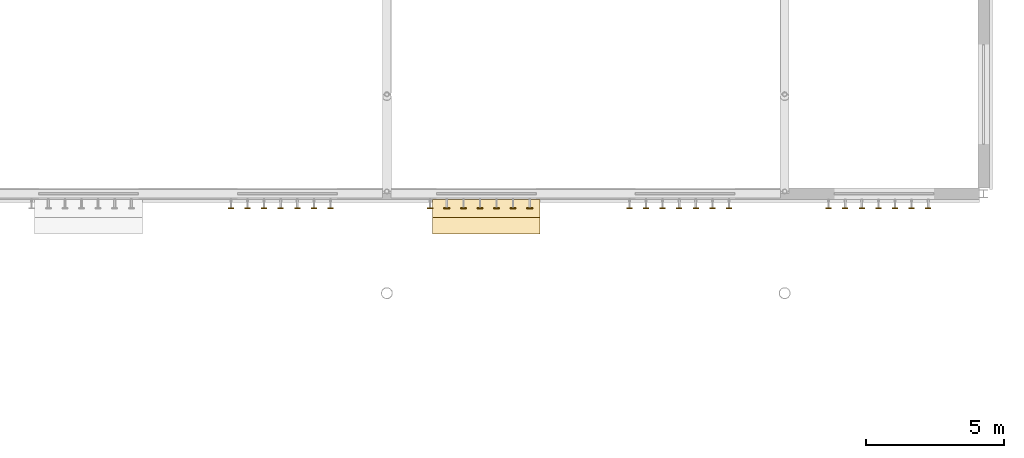
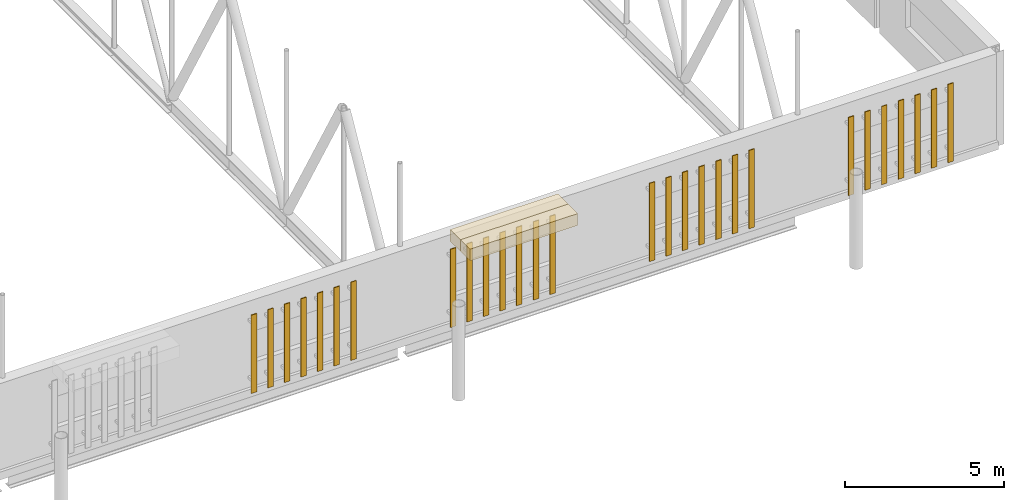
# One storey, part 134 of 142: 28 shading devices, 2 coverings.
"""IFC4 building model written with IfcOpenShell, lengths in metres."""

from ifc_helpers import new_model, si_unit, direction, frame, origin, origin_2d, place, context, subcontext, project, spatial, rectangle, extrude, material, layer, layer_set, type_object, element, save


model = new_model("IFC4")

# Units and contexts
model_context = context("Model", 3, precision=1e-05, world=origin(), true_north=direction((0.0, 1.0)))
body_context = subcontext(model_context, "Body", "Model", "MODEL_VIEW")
ifc_project = project(units=[si_unit("LENGTHUNIT", "METRE"), si_unit("AREAUNIT", "SQUARE_METRE"), si_unit("VOLUMEUNIT", "CUBIC_METRE"), si_unit("PLANEANGLEUNIT", "RADIAN"), si_unit("MASSUNIT", "GRAM", prefix="KILO")], contexts=[model_context])

# Site, building, storey
site_placement = place(None, origin())
site = spatial("IfcSite", under=ifc_project, at=site_placement, CompositionType="ELEMENT")
building_placement = place(site_placement, origin())
building = spatial("IfcBuilding", under=site, at=building_placement, Name="Kupolbacken Congress Centre", CompositionType="ELEMENT")
storey_placement = place(building_placement, frame((0.0, 0.0, 14.39990234375)))
storey = spatial("IfcBuildingStorey", under=building, at=storey_placement, Name="L04", CompositionType="ELEMENT", Elevation=14.39990234375)

# Coverings
ifc_material_1 = material(Name="Limestone cladding", Category="masonry")
ifc_layer_1 = layer(ifc_material_1, 0.60009765625)
ifc_layer_set_1 = layer_set([ifc_layer_1], Name="Limestone cladding")
covering_type = type_object("IfcCoveringType", Name="CV5 limestone arcade pier 600", PredefinedType="CLADDING", material=ifc_layer_set_1)
covering_1_placement = place(storey_placement, frame((183.60009765625, 42.6650390625, 3.35009765625), z_axis=(0.0, 0.0, 1.0), x_axis=(1.0, 0.0, 0.0)))
element("IfcCovering", 1, at=covering_1_placement, inside=storey, type_object=covering_type, Name="F/HR/H/S/fin/13/2/a", PredefinedType="CLADDING", context=body_context, shape_type="SweptSolid", body=[
    extrude(rectangle(XDim=3.89990234375, YDim=0.64990234375, at=origin_2d()), origin(), (0.0, 0.0, 1.0), 0.449951171875),
])
covering_2_placement = place(storey_placement, frame((183.60009765625, 42.0400390625, 3.35009765625), z_axis=(0.0, 0.0, 1.0), x_axis=(1.0, 0.0, 0.0)))
element("IfcCovering", 2, at=covering_2_placement, inside=storey, type_object=covering_type, Name="F/HR/H/S/fin/13/2/b", PredefinedType="CLADDING", context=body_context, shape_type="SweptSolid", body=[
    extrude(rectangle(XDim=3.89990234375, YDim=0.60009765625, at=origin_2d()), origin(), (0.0, 0.0, 1.0), 0.449951171875),
])

# Shading devices
ifc_material_2 = material(Name="Aluminium alloy louvre", Category="aluminium")
ifc_layer_2 = layer(ifc_material_2, 0.030029296875)
ifc_layer_set_2 = layer_set([ifc_layer_2], Name="Aluminium alloy louvre")
shading_device_type = type_object("IfcShadingDeviceType", Name="SC1 louvre blade 30 x 200", PredefinedType="JALOUSIE", material=ifc_layer_set_2)
for number, where, z_axis, x_axis, name in (
    (3, (174.353271484375, 42.675048828125, 0.300048828125), (0.0, 0.0, 1.0), (1.0, 0.0, 0.0), "E/brise/S/L04/439/B146"),
    (4, (174.9541015625, 42.675048828125, 0.300048828125), (0.0, 0.0, 1.0), (1.0, 0.0, 0.0), "E/brise/S/L04/439/B147"),
    (5, (175.55517578125, 42.675048828125, 0.300048828125), (0.0, 0.0, 1.0), (1.0, 0.0, 0.0), "E/brise/S/L04/439/B148"),
    (6, (176.15625, 42.675048828125, 0.300048828125), (0.0, 0.0, 1.0), (1.0, 0.0, 0.0), "E/brise/S/L04/439/B149"),
    (7, (176.75732421875, 42.675048828125, 0.300048828125), (0.0, 0.0, 1.0), (1.0, 0.0, 0.0), "E/brise/S/L04/439/B150"),
    (8, (177.3583984375, 42.675048828125, 0.300048828125), (0.0, 0.0, 1.0), (1.0, 0.0, 0.0), "E/brise/S/L04/439/B151"),
    (9, (177.95947265625, 42.675048828125, 0.300048828125), (0.0, 0.0, 1.0), (1.0, 0.0, 0.0), "E/brise/S/L04/439/B152"),
    (10, (181.565673828125, 42.675048828125, 0.300048828125), (0.0, 0.0, 1.0), (1.0, 0.0, 0.0), "E/brise/S/L04/439/B158"),
    (11, (182.166748046875, 42.675048828125, 0.300048828125), (0.0, 0.0, 1.0), (1.0, 0.0, 0.0), "E/brise/S/L04/439/B159"),
    (12, (182.767822265625, 42.675048828125, 0.300048828125), (0.0, 0.0, 1.0), (1.0, 0.0, 0.0), "E/brise/S/L04/439/B160"),
    (13, (183.368896484375, 42.675048828125, 0.300048828125), (0.0, 0.0, 1.0), (1.0, 0.0, 0.0), "E/brise/S/L04/439/B161"),
    (14, (183.969970703125, 42.675048828125, 0.300048828125), (0.0, 0.0, 1.0), (1.0, 0.0, 0.0), "E/brise/S/L04/439/B162"),
    (15, (184.571044921875, 42.675048828125, 0.300048828125), (0.0, 0.0, 1.0), (1.0, 0.0, 0.0), "E/brise/S/L04/439/B163"),
    (16, (185.172119140625, 42.675048828125, 0.300048828125), (0.0, 0.0, 1.0), (1.0, 0.0, 0.0), "E/brise/S/L04/439/B164"),
    (17, (188.7783203125, 42.675048828125, 0.300048828125), (0.0, 0.0, 1.0), (1.0, 0.0, 0.0), "E/brise/S/L04/439/B170"),
    (18, (189.37939453125, 42.675048828125, 0.300048828125), (0.0, 0.0, 1.0), (1.0, 0.0, 0.0), "E/brise/S/L04/439/B171"),
    (19, (189.98046875, 42.675048828125, 0.300048828125), (0.0, 0.0, 1.0), (1.0, 0.0, 0.0), "E/brise/S/L04/439/B172"),
    (20, (190.58154296875, 42.675048828125, 0.300048828125), (0.0, 0.0, 1.0), (1.0, 0.0, 0.0), "E/brise/S/L04/439/B173"),
    (21, (191.1826171875, 42.675048828125, 0.300048828125), (0.0, 0.0, 1.0), (1.0, 0.0, 0.0), "E/brise/S/L04/439/B174"),
    (22, (191.78369140625, 42.675048828125, 0.300048828125), (0.0, 0.0, 1.0), (1.0, 0.0, 0.0), "E/brise/S/L04/439/B175"),
    (23, (192.384765625, 42.675048828125, 0.300048828125), (0.0, 0.0, 1.0), (1.0, 0.0, 0.0), "E/brise/S/L04/439/B176"),
    (24, (195.990966796875, 42.675048828125, 0.300048828125), (0.0, 0.0, 1.0), (1.0, 0.0, 0.0), "E/brise/S/L04/439/B182"),
    (25, (196.592041015625, 42.675048828125, 0.300048828125), (0.0, 0.0, 1.0), (1.0, 0.0, 0.0), "E/brise/S/L04/439/B183"),
    (26, (197.193115234375, 42.675048828125, 0.300048828125), (0.0, 0.0, 1.0), (1.0, 0.0, 0.0), "E/brise/S/L04/439/B184"),
    (27, (197.794189453125, 42.675048828125, 0.300048828125), (0.0, 0.0, 1.0), (1.0, 0.0, 0.0), "E/brise/S/L04/439/B185"),
    (28, (198.395263671875, 42.675048828125, 0.300048828125), (0.0, 0.0, 1.0), (1.0, 0.0, 0.0), "E/brise/S/L04/439/B186"),
    (29, (198.996337890625, 42.675048828125, 0.300048828125), (0.0, 0.0, 1.0), (1.0, 0.0, 0.0), "E/brise/S/L04/439/B187"),
    (30, (199.597412109375, 42.675048828125, 0.300048828125), (0.0, 0.0, 1.0), (1.0, 0.0, 0.0), "E/brise/S/L04/439/B188"),
):
    element("IfcShadingDevice", number, at=place(storey_placement, frame(where, z_axis=z_axis, x_axis=x_axis)), inside=storey, type_object=shading_device_type, Name=name, PredefinedType="JALOUSIE", context=body_context, shape_type="SweptSolid", body=[
        extrude(rectangle(XDim=0.199951171875, YDim=0.030029296875, at=origin_2d()), origin(), (0.0, 0.0, 1.0), 3.0),
    ])

save(model, "model.ifc")
